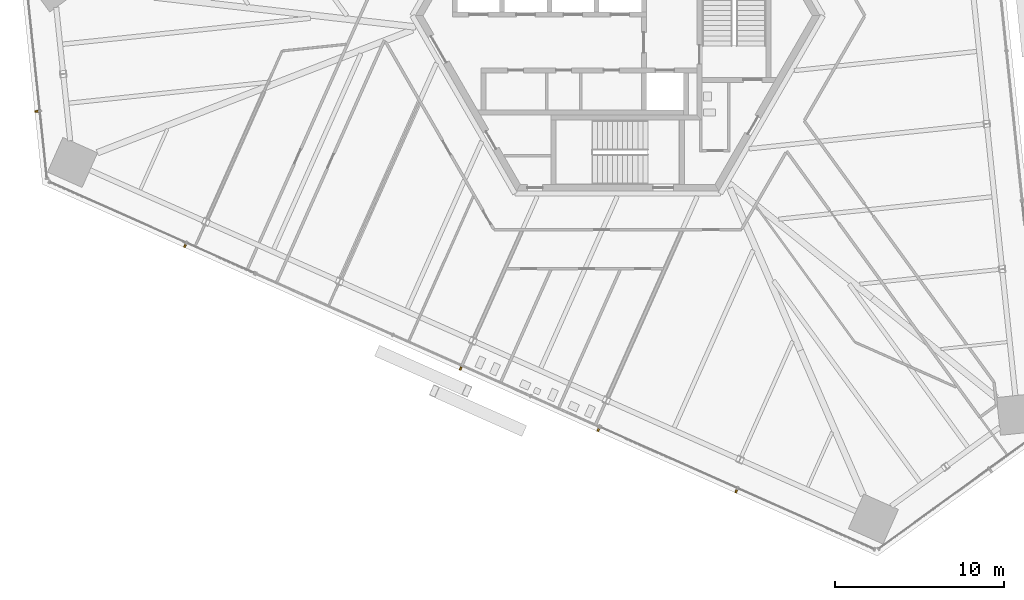
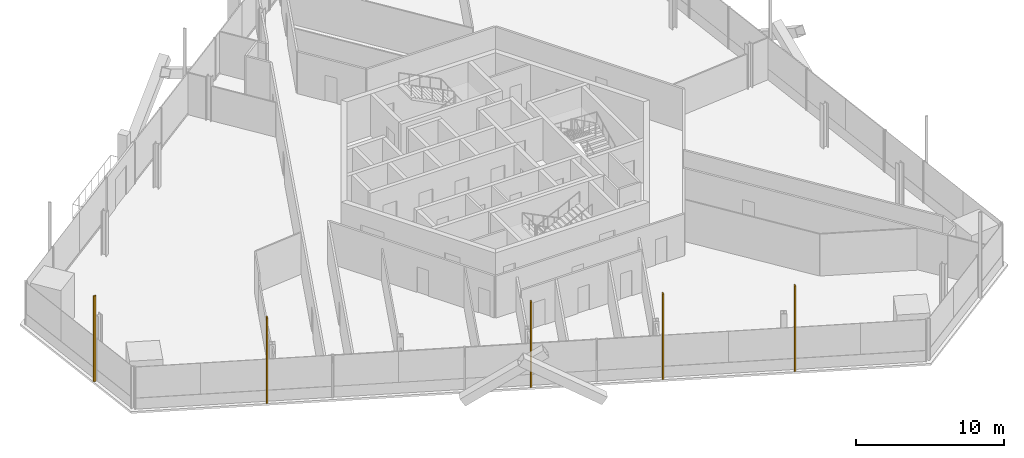
# One storey, part 15 of 21: 5 shading devices.
"""IFC4 building model written with IfcOpenShell, lengths in metres."""

from ifc_helpers import new_model, si_unit, direction, frame, origin, origin_2d, place, context, subcontext, project, spatial, rectangle, extrude, source, transform, mapped, material, element, save


model = new_model("IFC4")

# Units and contexts
model_context = context("Model", 3, precision=1e-05, world=origin(), true_north=direction((0.0, 1.0)))
body_context = subcontext(model_context, "Body", "Model", "MODEL_VIEW")
ifc_project = project(units=[si_unit("LENGTHUNIT", "METRE"), si_unit("AREAUNIT", "SQUARE_METRE"), si_unit("VOLUMEUNIT", "CUBIC_METRE"), si_unit("PLANEANGLEUNIT", "RADIAN"), si_unit("MASSUNIT", "GRAM", prefix="KILO")], contexts=[model_context])

# Site, building, storey
site_placement = place(None, origin())
site = spatial("IfcSite", under=ifc_project, at=site_placement, CompositionType="ELEMENT")
building_placement = place(site_placement, origin())
building = spatial("IfcBuilding", under=site, at=building_placement, Name="Triune Harvest Tower", CompositionType="ELEMENT")
storey_placement = place(building_placement, frame((0.0, 0.0, 72.89990234375)))
storey = spatial("IfcBuildingStorey", under=building, at=storey_placement, Name="L17", CompositionType="ELEMENT", Elevation=72.89990234375)

# Shading devices
ifc_material = material(Name="Aluminium bronze anodised", Category="aluminium")
shared_shape = source(origin(), body_context, "Body", "SweptSolid", [
    extrude(rectangle(XDim=0.10009765625, YDim=0.199951171875, at=origin_2d()), origin(), (0.0, 0.0, 1.0), 7.0400390625),
])
for number, where, z_axis, x_axis, name in (
    (1, (-34.45263671875, -5.669189453125, 0.0), (0.0, 0.0, 1.0), (0.104529462601, -0.994521790334, 0.0), "FN-1 fin B2-F4.3 L17"),
    (2, (-25.649658203125, -13.644775390625, 0.0), (0.0, 0.0, 1.0), (0.913545207137, -0.406737205721, 0.0), "FN-1 fin B2-F5.3 L17"),
    (3, (-9.313232421875, -20.918212890625, 0.0), (0.0, 0.0, 1.0), (0.913545207137, -0.406737205721, 0.0), "FN-1 fin B2-F5.7 L17"),
    (4, (-1.145263671875, -24.554931640625, 0.0), (0.0, 0.0, 1.0), (0.913545207137, -0.406737205721, 0.0), "FN-1 fin B2-F5.9 L17"),
    (5, (7.02294921875, -28.191650390625, 0.0), (0.0, 0.0, 1.0), (0.913545207137, -0.406737205721, 0.0), "FN-1 fin B2-F5.11 L17"),
):
    element("IfcShadingDevice", number, at=place(storey_placement, frame(where, z_axis=z_axis, x_axis=x_axis)), inside=storey, material=ifc_material, Name=name, ObjectType="FIN", PredefinedType="USERDEFINED", context=body_context, shape_type="MappedRepresentation", body=[
        mapped(shared_shape, transform((0.0, 0.0, 0.0), scale=1.0)),
    ])

save(model, "model.ifc")
